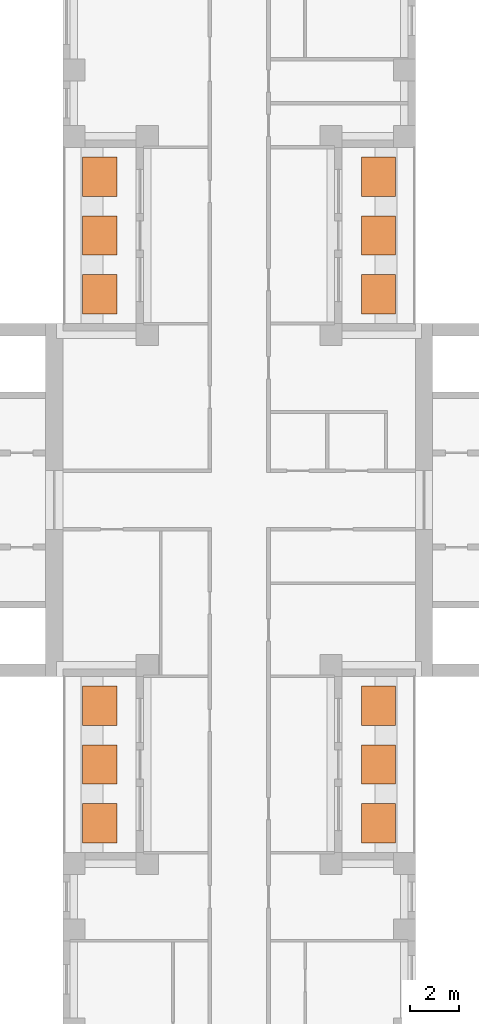
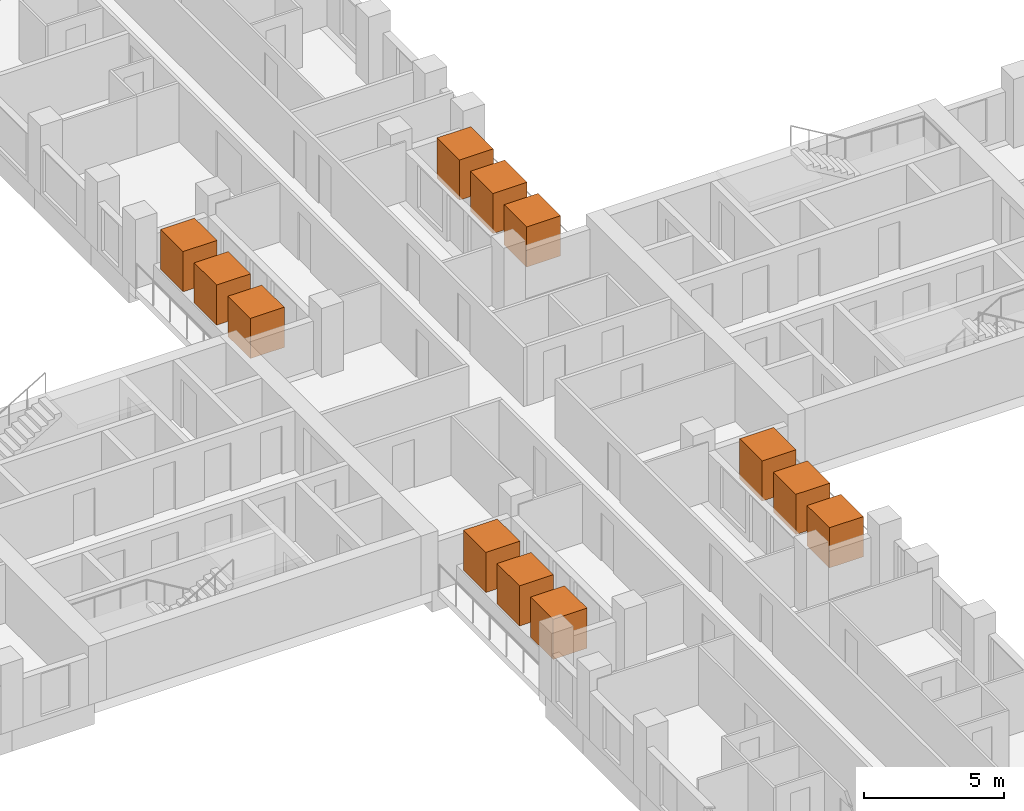
# One storey, part 15 of 15: 12 geographic elements.
"""IFC4 building model written with IfcOpenShell, lengths in metres."""

from ifc_helpers import new_model, si_unit, direction, frame, origin, origin_2d, place, context, subcontext, project, spatial, rectangle, extrude, material, element, save


model = new_model("IFC4")

# Units and contexts
model_context = context("Model", 3, precision=1e-05, world=origin(), true_north=direction((0.0, 1.0)))
body_context = subcontext(model_context, "Body", "Model", "MODEL_VIEW")
ifc_project = project(units=[si_unit("LENGTHUNIT", "METRE"), si_unit("AREAUNIT", "SQUARE_METRE"), si_unit("VOLUMEUNIT", "CUBIC_METRE"), si_unit("PLANEANGLEUNIT", "RADIAN"), si_unit("MASSUNIT", "GRAM", prefix="KILO")], contexts=[model_context])

# Site, building, storey
site_placement = place(None, origin())
site = spatial("IfcSite", under=ifc_project, at=site_placement, CompositionType="ELEMENT")
building_placement = place(site_placement, origin())
building = spatial("IfcBuilding", under=site, at=building_placement, Name="Fustian Cross Tower", CompositionType="ELEMENT")
storey_placement = place(building_placement, frame((0.0, 0.0, 50.699951171875)))
storey = spatial("IfcBuildingStorey", under=building, at=storey_placement, Name="L15", CompositionType="ELEMENT", Elevation=50.699951171875)

# Geographic elements
ifc_material = material(Name="Evergreen foliage")
for number, where, z_axis, x_axis, name in (
    (1, (5.68994140625, 8.39990234375, 0.800048828125), (0.0, 0.0, 1.0), (1.0, 0.0, 0.0), "TREE field maple"),
    (2, (5.68994140625, 10.800048828125, 0.800048828125), (0.0, 0.0, 1.0), (1.0, 0.0, 0.0), "TREE field maple"),
    (3, (5.68994140625, 13.199951171875, 0.800048828125), (0.0, 0.0, 1.0), (1.0, 0.0, 0.0), "TREE field maple"),
    (4, (-5.68994140625, 8.39990234375, 0.800048828125), (0.0, 0.0, 1.0), (1.0, 0.0, 0.0), "TREE field maple"),
    (5, (-5.68994140625, 10.800048828125, 0.800048828125), (0.0, 0.0, 1.0), (1.0, 0.0, 0.0), "TREE field maple"),
    (6, (-5.68994140625, 13.199951171875, 0.800048828125), (0.0, 0.0, 1.0), (1.0, 0.0, 0.0), "TREE field maple"),
    (7, (5.68994140625, -13.199951171875, 0.800048828125), (0.0, 0.0, 1.0), (1.0, 0.0, 0.0), "TREE field maple"),
    (8, (5.68994140625, -10.800048828125, 0.800048828125), (0.0, 0.0, 1.0), (1.0, 0.0, 0.0), "TREE field maple"),
    (9, (5.68994140625, -8.39990234375, 0.800048828125), (0.0, 0.0, 1.0), (1.0, 0.0, 0.0), "TREE field maple"),
    (10, (-5.68994140625, -13.199951171875, 0.800048828125), (0.0, 0.0, 1.0), (1.0, 0.0, 0.0), "TREE field maple"),
    (11, (-5.68994140625, -10.800048828125, 0.800048828125), (0.0, 0.0, 1.0), (1.0, 0.0, 0.0), "TREE field maple"),
    (12, (-5.68994140625, -8.39990234375, 0.800048828125), (0.0, 0.0, 1.0), (1.0, 0.0, 0.0), "TREE field maple"),
):
    element("IfcGeographicElement", number, at=place(storey_placement, frame(where, z_axis=z_axis, x_axis=x_axis)), inside=storey, material=ifc_material, Name=name, ObjectType="VEGETATION", PredefinedType="USERDEFINED", context=body_context, shape_type="SweptSolid", body=[
        extrude(rectangle(XDim=1.39990234375, YDim=1.60009765625, at=origin_2d()), origin(), (0.0, 0.0, 1.0), 1.75),
    ])

save(model, "model.ifc")
